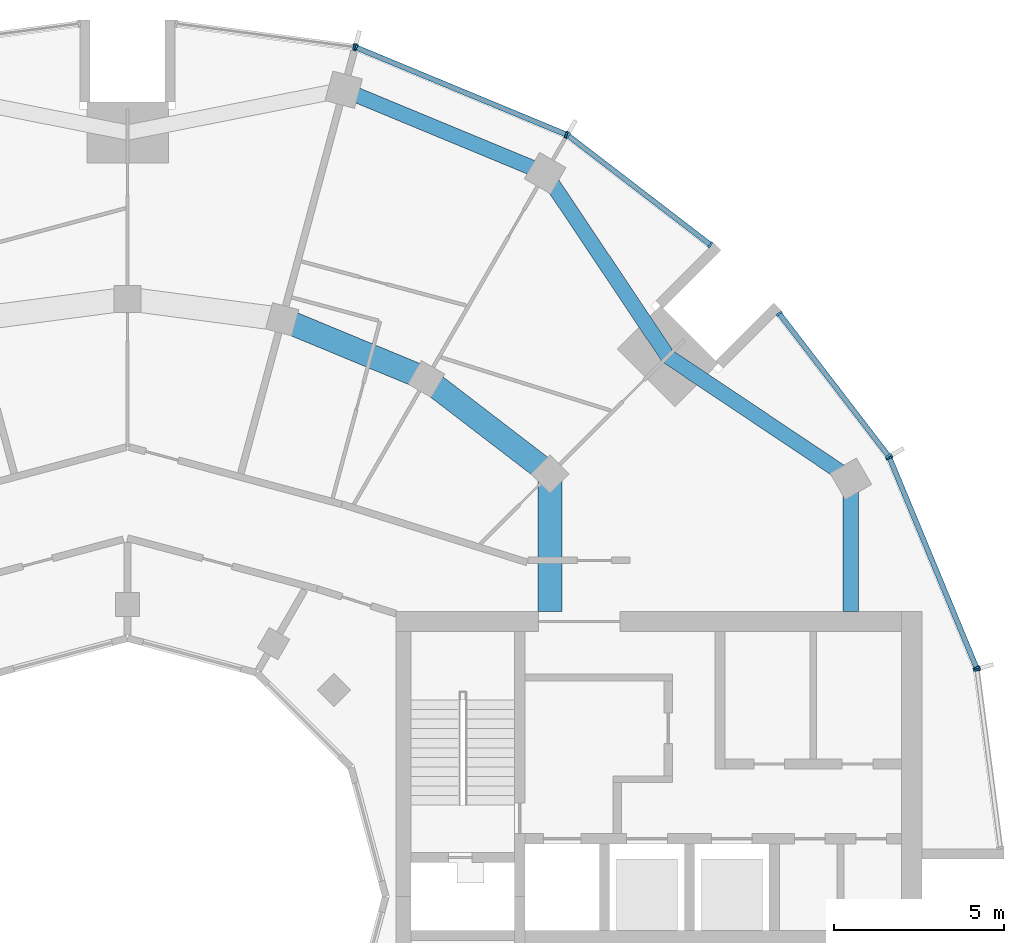
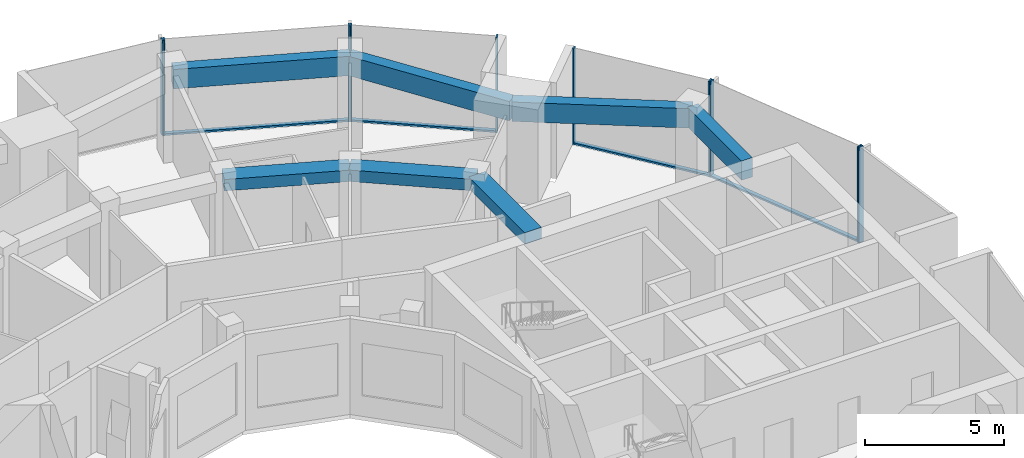
# One storey, part 6 of 15: 14 members, 7 beams, 6 elements without a shape of their own.
"""IFC4 building model written with IfcOpenShell, lengths in metres."""

from ifc_helpers import new_model, si_unit, direction, frame, origin, origin_2d, place, context, subcontext, project, spatial, rectangle, extrude, material, layer, layer_set, material_profile, profile_set, type_object, element, aggregate, save


model = new_model("IFC4")

# Units and contexts
model_context = context("Model", 3, precision=1e-05, world=origin(), true_north=direction((0.0, 1.0)))
body_context = subcontext(model_context, "Body", "Model", "MODEL_VIEW")
ifc_project = project(units=[si_unit("LENGTHUNIT", "METRE"), si_unit("AREAUNIT", "SQUARE_METRE"), si_unit("VOLUMEUNIT", "CUBIC_METRE"), si_unit("PLANEANGLEUNIT", "RADIAN"), si_unit("MASSUNIT", "GRAM", prefix="KILO")], contexts=[model_context])

# Site, building, storey
site_placement = place(None, origin())
site = spatial("IfcSite", under=ifc_project, at=site_placement, CompositionType="ELEMENT")
building_placement = place(site_placement, origin())
building = spatial("IfcBuilding", under=site, at=building_placement, Name="Torre Brocal", CompositionType="ELEMENT")
storey_placement = place(building_placement, frame((0.0, 0.0, 237.300048828125)))
storey = spatial("IfcBuildingStorey", under=building, at=storey_placement, Name="L54", CompositionType="ELEMENT", Elevation=237.300048828125)

# Curtain wall, members
ifc_material_1 = material(Name="Aluminium and glass", Category="aluminium")
ifc_layer_1 = layer(ifc_material_1, 0.199951171875)
ifc_layer_set_1 = layer_set([ifc_layer_1], Name="Aluminium and glass")
curtain_wall_type_1 = type_object("IfcCurtainWallType", Name="CW-1 CURTAIN WALL 4200 HIGH", PredefinedType="NOTDEFINED", material=ifc_layer_set_1)
curtain_wall_1_placement = place(storey_placement, origin())
curtain_wall_1 = element("IfcCurtainWall", 1, at=curtain_wall_1_placement, inside=storey, type_object=curtain_wall_type_1, Name="CW-1 RUN 2", PredefinedType="NOTDEFINED")
ifc_material_2 = material(Name="Aluminium, dark anodised", Category="aluminium")
ifc_material_profile_1 = material_profile(ifc_material_2, rectangle(XDim=0.199951171875, YDim=0.06005859375, at=origin_2d()), Name="CW-1 MULLION 60X200")
ifc_profile_set_1 = profile_set([ifc_material_profile_1], Name="Aluminium, dark anodised")
member_type_1 = type_object("IfcMemberType", Name="CW-1 MULLION 60X200", PredefinedType="MULLION", material=ifc_profile_set_1)
member_1_placement = place(storey_placement, frame((105.005126953125, 81.73095703125, 0.0), z_axis=(0.0, 0.0, 1.0), x_axis=(-0.923879532525, -0.382683432333, 0.0)))
member_1 = element("IfcMember", 2, at=member_1_placement, type_object=member_type_1, Name="CW1-5 mullion 1", PredefinedType="MULLION", context=body_context, shape_type="SweptSolid", body=[
    extrude(rectangle(XDim=0.199951171875, YDim=0.06005859375, at=origin_2d()), origin(), (0.0, 0.0, 1.0), 4.199951171875),
])
member_2_placement = place(storey_placement, frame((102.440673828125, 87.921875, 0.0), z_axis=(0.0, 0.0, 1.0), x_axis=(-0.923879532525, -0.382683432333, 0.0)))
member_2 = element("IfcMember", 3, at=member_2_placement, type_object=member_type_1, Name="CW1-5 mullion 2", PredefinedType="MULLION", context=body_context, shape_type="SweptSolid", body=[
    extrude(rectangle(XDim=0.199951171875, YDim=0.06005859375, at=origin_2d()), origin(), (0.0, 0.0, 1.0), 4.199951171875),
])

curtain_wall_2_placement = place(storey_placement, origin())
curtain_wall_2 = element("IfcCurtainWall", 4, at=curtain_wall_2_placement, inside=storey, type_object=curtain_wall_type_1, Name="CW-1 RUN 3", PredefinedType="NOTDEFINED")
member_3_placement = place(storey_placement, frame((102.4111328125, 87.973388671875, 0.0), z_axis=(0.0, 0.0, 1.0), x_axis=(-0.793353340259, -0.60876142905, 0.0)))
member_3 = element("IfcMember", 5, at=member_3_placement, type_object=member_type_1, Name="CW1-5 mullion 1", PredefinedType="MULLION", context=body_context, shape_type="SweptSolid", body=[
    extrude(rectangle(XDim=0.199951171875, YDim=0.06005859375, at=origin_2d()), origin(), (0.0, 0.0, 1.0), 4.199951171875),
])
member_4_placement = place(storey_placement, frame((99.19140625, 92.16943359375, 0.0), z_axis=(0.0, 0.0, 1.0), x_axis=(-0.793353340259, -0.60876142905, 0.0)))
member_4 = element("IfcMember", 6, at=member_4_placement, type_object=member_type_1, Name="CW1-5 mullion 2", PredefinedType="MULLION", context=body_context, shape_type="SweptSolid", body=[
    extrude(rectangle(XDim=0.199951171875, YDim=0.06005859375, at=origin_2d()), origin(), (0.0, 0.0, 1.0), 4.199951171875),
])

curtain_wall_3_placement = place(storey_placement, origin())
curtain_wall_3 = element("IfcCurtainWall", 7, at=curtain_wall_3_placement, inside=storey, type_object=curtain_wall_type_1, Name="CW-1 RUN 4", PredefinedType="NOTDEFINED")
member_5_placement = place(storey_placement, frame((97.16943359375, 94.19140625, 0.0), z_axis=(0.0, 0.0, 1.0), x_axis=(-0.60876142905, -0.793353340259, 0.0)))
member_5 = element("IfcMember", 8, at=member_5_placement, type_object=member_type_1, Name="CW1-5 mullion 1", PredefinedType="MULLION", context=body_context, shape_type="SweptSolid", body=[
    extrude(rectangle(XDim=0.199951171875, YDim=0.06005859375, at=origin_2d()), origin(), (0.0, 0.0, 1.0), 4.199951171875),
])
member_6_placement = place(storey_placement, frame((92.973388671875, 97.4111328125, 0.0), z_axis=(0.0, 0.0, 1.0), x_axis=(-0.60876142905, -0.793353340259, 0.0)))
member_6 = element("IfcMember", 9, at=member_6_placement, type_object=member_type_1, Name="CW1-5 mullion 2", PredefinedType="MULLION", context=body_context, shape_type="SweptSolid", body=[
    extrude(rectangle(XDim=0.199951171875, YDim=0.06005859375, at=origin_2d()), origin(), (0.0, 0.0, 1.0), 4.199951171875),
])

curtain_wall_4_placement = place(storey_placement, origin())
curtain_wall_4 = element("IfcCurtainWall", 10, at=curtain_wall_4_placement, inside=storey, type_object=curtain_wall_type_1, Name="CW-1 RUN 5", PredefinedType="NOTDEFINED")
member_7_placement = place(storey_placement, frame((92.921875, 97.440673828125, 0.0), z_axis=(0.0, 0.0, 1.0), x_axis=(-0.382683432333, -0.923879532525, 0.0)))
member_7 = element("IfcMember", 11, at=member_7_placement, type_object=member_type_1, Name="CW1-5 mullion 1", PredefinedType="MULLION", context=body_context, shape_type="SweptSolid", body=[
    extrude(rectangle(XDim=0.199951171875, YDim=0.06005859375, at=origin_2d()), origin(), (0.0, 0.0, 1.0), 4.199951171875),
])
member_8_placement = place(storey_placement, frame((86.73095703125, 100.005126953125, 0.0), z_axis=(0.0, 0.0, 1.0), x_axis=(-0.382683432333, -0.923879532525, 0.0)))
member_8 = element("IfcMember", 12, at=member_8_placement, type_object=member_type_1, Name="CW1-5 mullion 2", PredefinedType="MULLION", context=body_context, shape_type="SweptSolid", body=[
    extrude(rectangle(XDim=0.199951171875, YDim=0.06005859375, at=origin_2d()), origin(), (0.0, 0.0, 1.0), 4.199951171875),
])

# Curtain wall, member
curtain_wall_5_placement = place(storey_placement, origin())
curtain_wall_5 = element("IfcCurtainWall", 13, at=curtain_wall_5_placement, inside=storey, type_object=curtain_wall_type_1, Name="CW-1 RUN 6", PredefinedType="NOTDEFINED")
member_9_placement = place(storey_placement, frame((86.67333984375, 100.0205078125, 0.0), z_axis=(0.0, 0.0, 1.0), x_axis=(-0.13052619222, -0.991444861374, 0.0)))
member_9 = element("IfcMember", 14, at=member_9_placement, type_object=member_type_1, Name="CW1-5 mullion 1", PredefinedType="MULLION", context=body_context, shape_type="SweptSolid", body=[
    extrude(rectangle(XDim=0.199951171875, YDim=0.06005859375, at=origin_2d()), origin(), (0.0, 0.0, 1.0), 4.199951171875),
])
aggregate(curtain_wall_5, [member_9])

# Member
ifc_material_3 = material(Name="Aluminium, dark anodised", Category="aluminium")
ifc_material_profile_2 = material_profile(ifc_material_3, rectangle(XDim=0.159912109375, YDim=0.080078125, at=origin_2d()), Name="CW-1 TRANSOM 160X80")
ifc_profile_set_2 = profile_set([ifc_material_profile_2], Name="Aluminium, dark anodised")
member_type_2 = type_object("IfcMemberType", Name="CW-1 TRANSOM 160X80", PredefinedType="USERDEFINED", material=ifc_profile_set_2)
member_10_placement = place(storey_placement, frame((104.99365234375, 81.758544921875, 0.0400390625), z_axis=(-0.38266457234, 0.923887344364, 0.0), x_axis=(-0.923887344364, -0.38266457234, 0.0)))
member_10 = element("IfcMember", 15, at=member_10_placement, type_object=member_type_2, Name="CW1-5 transom 1.1", ObjectType="TRANSOM", PredefinedType="USERDEFINED", context=body_context, shape_type="SweptSolid", body=[
    extrude(rectangle(XDim=0.159912109375, YDim=0.080078125, at=origin_2d()), origin(), (0.0, 0.0, 1.0), 6.640869140625),
])

aggregate(curtain_wall_1, [member_1, member_2, member_10])

member_11_placement = place(storey_placement, frame((102.392822265625, 87.9970703125, 0.0400390625), z_axis=(-0.60874908096, 0.79336281513, 0.0), x_axis=(-0.79336281513, -0.60874908096, 0.0)))
member_11 = element("IfcMember", 16, at=member_11_placement, type_object=member_type_2, Name="CW1-5 transom 1.1", ObjectType="TRANSOM", PredefinedType="USERDEFINED", context=body_context, shape_type="SweptSolid", body=[
    extrude(rectangle(XDim=0.159912109375, YDim=0.080078125, at=origin_2d()), origin(), (0.0, 0.0, 1.0), 5.22900390625),
])

aggregate(curtain_wall_2, [member_3, member_4, member_11])

member_12_placement = place(storey_placement, frame((97.1455078125, 94.209716796875, 0.0400390625), z_axis=(-0.79336281513, 0.60874908096, 0.0), x_axis=(-0.60874908096, -0.79336281513, 0.0)))
member_12 = element("IfcMember", 17, at=member_12_placement, type_object=member_type_2, Name="CW1-5 transom 1.1", ObjectType="TRANSOM", PredefinedType="USERDEFINED", context=body_context, shape_type="SweptSolid", body=[
    extrude(rectangle(XDim=0.159912109375, YDim=0.080078125, at=origin_2d()), origin(), (0.0, 0.0, 1.0), 5.22900390625),
])

aggregate(curtain_wall_3, [member_5, member_6, member_12])

member_13_placement = place(storey_placement, frame((92.89404296875, 97.452392578125, 0.0400390625), z_axis=(-0.923887344364, 0.38266457234, 0.0), x_axis=(-0.38266457234, -0.923887344364, 0.0)))
member_13 = element("IfcMember", 18, at=member_13_placement, type_object=member_type_2, Name="CW1-5 transom 1.1", ObjectType="TRANSOM", PredefinedType="USERDEFINED", context=body_context, shape_type="SweptSolid", body=[
    extrude(rectangle(XDim=0.159912109375, YDim=0.080078125, at=origin_2d()), origin(), (0.0, 0.0, 1.0), 6.640869140625),
])

aggregate(curtain_wall_4, [member_7, member_8, member_13])

# Curtain wall, member
ifc_material_4 = material(Name="Aluminium and glass", Category="aluminium")
ifc_layer_2 = layer(ifc_material_4, 0.199951171875)
ifc_layer_set_2 = layer_set([ifc_layer_2], Name="Aluminium and glass")
curtain_wall_type_2 = type_object("IfcCurtainWallType", Name="CW-1B CURTAIN WALL 4200 HIGH", PredefinedType="NOTDEFINED", material=ifc_layer_set_2)
curtain_wall_6_placement = place(storey_placement, origin())
curtain_wall_6 = element("IfcCurtainWall", 19, at=curtain_wall_6_placement, inside=storey, type_object=curtain_wall_type_2, Name="CW-1B RUN 1", PredefinedType="NOTDEFINED")
ifc_material_5 = material(Name="Aluminium, dark anodised", Category="aluminium")
ifc_material_profile_3 = material_profile(ifc_material_5, rectangle(XDim=0.199951171875, YDim=0.06005859375, at=origin_2d()), Name="CW-1B MULLION 60X200")
ifc_profile_set_3 = profile_set([ifc_material_profile_3], Name="Aluminium, dark anodised")
member_type_3 = type_object("IfcMemberType", Name="CW-1B MULLION 60X200", PredefinedType="MULLION", material=ifc_profile_set_3)
member_14_placement = place(storey_placement, frame((105.0205078125, 81.67333984375, 0.0), z_axis=(0.0, 0.0, 1.0), x_axis=(-0.991444861374, -0.13052619222, 0.0)))
member_14 = element("IfcMember", 20, at=member_14_placement, type_object=member_type_3, Name="CW1B-5 mullion 2", PredefinedType="MULLION", context=body_context, shape_type="SweptSolid", body=[
    extrude(rectangle(XDim=0.199951171875, YDim=0.06005859375, at=origin_2d()), origin(), (0.0, 0.0, 1.0), 4.199951171875),
])
aggregate(curtain_wall_6, [member_14])

# Beams
ifc_material_6 = material(Name="Concrete C50", Category="concrete")
ifc_material_profile_4 = material_profile(ifc_material_6, rectangle(XDim=0.699951171875, YDim=0.5, at=origin_2d()), Name="RC 700X500")
ifc_profile_set_4 = profile_set([ifc_material_profile_4], Name="Concrete C50")
beam_type_1 = type_object("IfcBeamType", Name="RC BEAM 700X500 C50 TOP 3880", PredefinedType="BEAM", material=ifc_profile_set_4)
beam_1_placement = place(storey_placement, frame((92.445068359375, 87.445068359375, 3.6298828125), z_axis=(-0.793358265959, 0.6087550097, 0.0), x_axis=(-0.6087550097, -0.793358265959, 0.0)))
element("IfcBeam", 21, at=beam_1_placement, inside=storey, type_object=beam_type_1, Name="Beam BT-37", PredefinedType="BEAM", context=body_context, shape_type="SweptSolid", body=[
    extrude(rectangle(XDim=0.699951171875, YDim=0.5, at=origin_2d()), origin(), (0.0, 0.0, 1.0), 4.594482421875),
])
beam_2_placement = place(storey_placement, frame((88.800048828125, 90.241943359375, 3.6298828125), z_axis=(-0.923878240166, 0.382686552348, 0.0), x_axis=(-0.382686552348, -0.923878240166, 0.0)))
element("IfcBeam", 22, at=beam_2_placement, inside=storey, type_object=beam_type_1, Name="Beam BT-37", PredefinedType="BEAM", context=body_context, shape_type="SweptSolid", body=[
    extrude(rectangle(XDim=0.699951171875, YDim=0.5, at=origin_2d()), origin(), (0.0, 0.0, 1.0), 4.5947265625),
])
beam_3_placement = place(storey_placement, frame((92.445068359375, 87.445068359375, 3.6298828125), z_axis=(0.0, -1.0, 0.0), x_axis=(1.0, 0.0, 0.0)))
element("IfcBeam", 23, at=beam_3_placement, inside=storey, type_object=beam_type_1, Name="Beam BT-37", PredefinedType="BEAM", context=body_context, shape_type="SweptSolid", body=[
    extrude(rectangle(XDim=0.699951171875, YDim=0.5, at=origin_2d()), origin(), (0.0, 0.0, 1.0), 4.045166015625),
])
ifc_material_7 = material(Name="Concrete C50", Category="concrete")
ifc_material_profile_5 = material_profile(ifc_material_7, rectangle(XDim=0.449951171875, YDim=0.85009765625, at=origin_2d()), Name="RC 450X850")
ifc_profile_set_5 = profile_set([ifc_material_profile_5], Name="Concrete C50")
beam_type_2 = type_object("IfcBeamType", Name="RC SPANDREL BEAM 450X850 C50 TOP 3880", PredefinedType="SPANDREL", material=ifc_profile_set_5)
for number, where, z_axis, x_axis, name in (
    (24, (101.30419921875, 87.300048828125, 3.454833984375), (-0.831076844476, 0.556157602282, 0.0), (-0.556157602282, -0.831076844476, 0.0), "Beam BT-38"),
    (25, (95.909912109375, 90.909912109375, 3.454833984375), (-0.556157602282, 0.831076844476, 0.0), (-0.831076844476, -0.556157602282, 0.0), "Beam BT-38"),
):
    element("IfcBeam", number, at=place(storey_placement, frame(where, z_axis=z_axis, x_axis=x_axis)), inside=storey, type_object=beam_type_2, Name=name, PredefinedType="SPANDREL", context=body_context, shape_type="SweptSolid", body=[
        extrude(rectangle(XDim=0.449951171875, YDim=0.85009765625, at=origin_2d()), origin(), (0.0, 0.0, 1.0), 6.49072265625),
    ])
beam_4_placement = place(storey_placement, frame((92.300048828125, 96.30419921875, 3.454833984375), z_axis=(-0.923882462513, 0.382676358639, 0.0), x_axis=(-0.382676358639, -0.923882462513, 0.0)))
element("IfcBeam", 26, at=beam_4_placement, inside=storey, type_object=beam_type_2, Name="Beam BT-38", PredefinedType="SPANDREL", context=body_context, shape_type="SweptSolid", body=[
    extrude(rectangle(XDim=0.449951171875, YDim=0.85009765625, at=origin_2d()), origin(), (0.0, 0.0, 1.0), 6.421875),
])
beam_5_placement = place(storey_placement, frame((101.30419921875, 87.300048828125, 3.454833984375), z_axis=(0.0, -1.0, 0.0), x_axis=(1.0, 0.0, 0.0)))
element("IfcBeam", 27, at=beam_5_placement, inside=storey, type_object=beam_type_2, Name="Beam BT-38", PredefinedType="SPANDREL", context=body_context, shape_type="SweptSolid", body=[
    extrude(rectangle(XDim=0.449951171875, YDim=0.85009765625, at=origin_2d()), origin(), (0.0, 0.0, 1.0), 3.900146484375),
])

save(model, "model.ifc")
